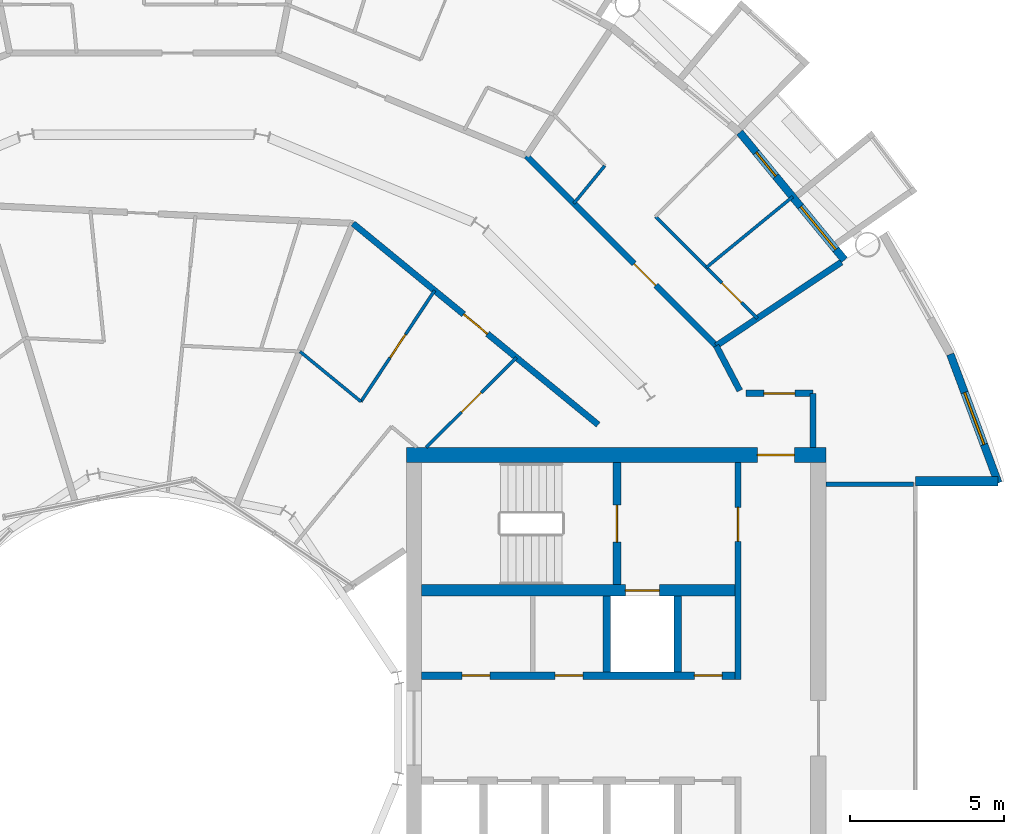
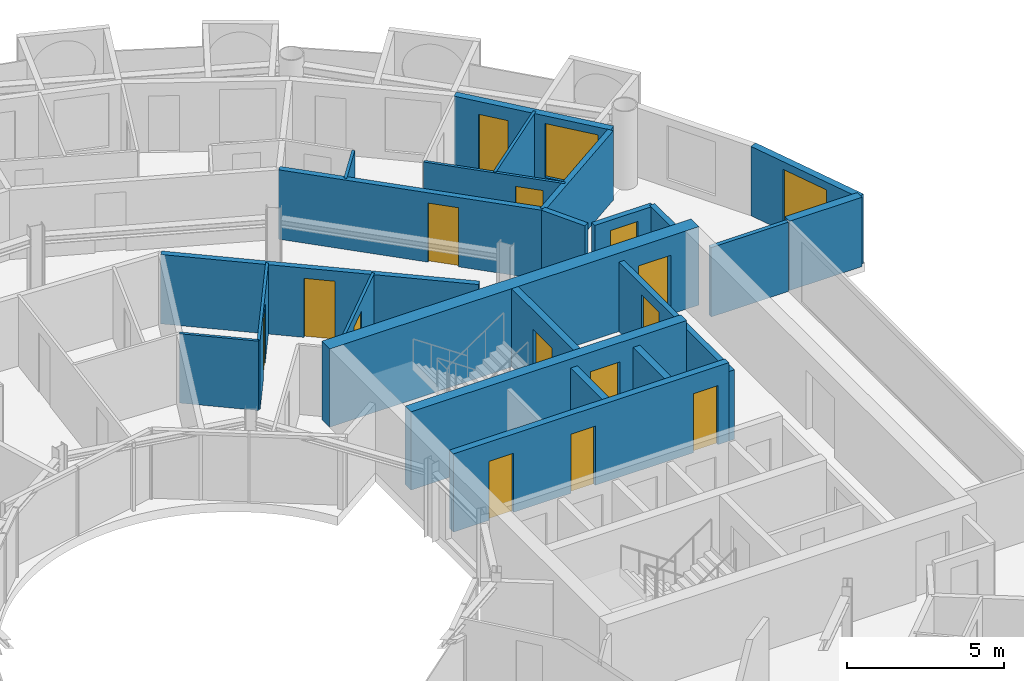
# One storey, part 22 of 27: 23 walls, 14 doors, 2 windows, 16 openings.
"""IFC4 building model written with IfcOpenShell, lengths in metres."""

from ifc_helpers import new_model, si_unit, direction, frame, frame_2d, origin, place, context, subcontext, project, spatial, rectangle, extrude, material, layer, layer_set, type_object, element, fill, save


model = new_model("IFC4")

# Units and contexts
model_context = context("Model", 3, precision=1e-05, world=origin(), true_north=direction((0.0, 1.0)))
body_context = subcontext(model_context, "Body", "Model", "MODEL_VIEW")
ifc_project = project(units=[si_unit("LENGTHUNIT", "METRE"), si_unit("AREAUNIT", "SQUARE_METRE"), si_unit("VOLUMEUNIT", "CUBIC_METRE"), si_unit("PLANEANGLEUNIT", "RADIAN"), si_unit("MASSUNIT", "GRAM", prefix="KILO")], contexts=[model_context])

# Site, building, storey
site_placement = place(None, origin())
site = spatial("IfcSite", under=ifc_project, at=site_placement, CompositionType="ELEMENT")
building_placement = place(site_placement, origin())
building = spatial("IfcBuilding", under=site, at=building_placement, Name="Maasbend Ring Residences", CompositionType="ELEMENT")
storey_placement = place(building_placement, frame((0.0, 0.0, 167.699951171875)))
storey = spatial("IfcBuildingStorey", under=building, at=storey_placement, Name="L48", CompositionType="ELEMENT", Elevation=167.699951171875)

# Wall, openings, doors
ifc_material_1 = material(Name="Concrete C60/75", Category="concrete")
ifc_layer_1 = layer(ifc_material_1, 0.25)
ifc_layer_set_1 = layer_set([ifc_layer_1], Name="Concrete C60/75")
wall_type_1 = type_object("IfcWallType", Name="CORE WALL 250 C60/75", PredefinedType="SHEAR", material=ifc_layer_set_1)
wall_1_placement = place(storey_placement, frame((9.0, 1.699951171875, 0.0), z_axis=(0.0, 0.0, 1.0), x_axis=(1.0, 0.0, 0.0)))
wall_1 = element("IfcWall", 1, at=wall_1_placement, inside=storey, type_object=wall_type_1, Name="L48 core E wall SPN", PredefinedType="SHEAR", context=body_context, shape_type="SweptSolid", body=[
    extrude(rectangle(XDim=10.14990234375, YDim=0.25, at=frame_2d((5.074951171875, 0.0))), origin(), (0.0, 0.0, 1.0), 3.050048828125),
])
opening_1_placement = place(wall_1_placement, frame((1.3125, 0.0, 0.0)))
opening_1 = element("IfcOpeningElement", 2, at=opening_1_placement, cuts=wall_1, Name="Opening D-E4806", PredefinedType="OPENING", context=body_context, shape_type="SweptSolid", body=[
    extrude(rectangle(XDim=0.89990234375, YDim=2.300048828125, at=frame_2d((0.449951171875, 1.14990234375))), frame((0.0, 0.135009765625, 0.0), z_axis=(0.0, -1.0, 0.0), x_axis=(1.0, 0.0, 0.0)), (0.0, 0.0, 1.0), 0.27001953125),
])
opening_2_placement = place(wall_1_placement, frame((4.324951171875, 0.0, 0.0)))
opening_2 = element("IfcOpeningElement", 3, at=opening_2_placement, cuts=wall_1, Name="Opening D-E4807", PredefinedType="OPENING", context=body_context, shape_type="SweptSolid", body=[
    extrude(rectangle(XDim=0.89990234375, YDim=2.300048828125, at=frame_2d((0.449951171875, 1.14990234375))), frame((0.0, 0.135009765625, 0.0), z_axis=(0.0, -1.0, 0.0), x_axis=(1.0, 0.0, 0.0)), (0.0, 0.0, 1.0), 0.27001953125),
])
opening_3_placement = place(wall_1_placement, frame((8.83740234375, 0.0, 0.0)))
opening_3 = element("IfcOpeningElement", 4, at=opening_3_placement, cuts=wall_1, Name="Opening D-E4808", PredefinedType="OPENING", context=body_context, shape_type="SweptSolid", body=[
    extrude(rectangle(XDim=0.89990234375, YDim=2.300048828125, at=frame_2d((0.449951171875, 1.14990234375))), frame((0.0, 0.135009765625, 0.0), z_axis=(0.0, -1.0, 0.0), x_axis=(1.0, 0.0, 0.0)), (0.0, 0.0, 1.0), 0.27001953125),
])
ifc_material_2 = material(Name="Steel, powder coated", Category="steel")
door_type_1 = type_object("IfcDoorType", Name="ROOM DOOR 900 X 2300 FD30S", OperationType="NOTDEFINED", PredefinedType="DOOR", material=ifc_material_2)
door_1_placement = place(opening_1_placement, origin())
door_1 = element("IfcDoor", 5, at=door_1_placement, inside=storey, type_object=door_type_1, Name="Room door L48", OperationType="SINGLE_SWING_RIGHT", OverallHeight=2.300048828125, OverallWidth=0.89990234375, PredefinedType="DOOR", context=body_context, shape_type="SweptSolid", body=[
    extrude(rectangle(XDim=0.89990234375, YDim=2.300048828125, at=frame_2d((0.449951171875, 1.14990234375))), frame((0.0, 0.02490234375, 0.0), z_axis=(0.0, -1.0, 0.0), x_axis=(1.0, 0.0, 0.0)), (0.0, 0.0, 1.0), 0.050048828125),
])
fill(opening_1, door_1)
door_2_placement = place(opening_2_placement, origin())
door_2 = element("IfcDoor", 6, at=door_2_placement, inside=storey, type_object=door_type_1, Name="Room door L48", OperationType="SINGLE_SWING_RIGHT", OverallHeight=2.300048828125, OverallWidth=0.89990234375, PredefinedType="DOOR", context=body_context, shape_type="SweptSolid", body=[
    extrude(rectangle(XDim=0.89990234375, YDim=2.300048828125, at=frame_2d((0.449951171875, 1.14990234375))), frame((0.0, 0.02490234375, 0.0), z_axis=(0.0, -1.0, 0.0), x_axis=(1.0, 0.0, 0.0)), (0.0, 0.0, 1.0), 0.050048828125),
])
fill(opening_2, door_2)
door_3_placement = place(opening_3_placement, origin())
door_3 = element("IfcDoor", 7, at=door_3_placement, inside=storey, type_object=door_type_1, Name="Room door L48", OperationType="SINGLE_SWING_LEFT", OverallHeight=2.300048828125, OverallWidth=0.89990234375, PredefinedType="DOOR", context=body_context, shape_type="SweptSolid", body=[
    extrude(rectangle(XDim=0.89990234375, YDim=2.300048828125, at=frame_2d((0.449951171875, 1.14990234375))), frame((0.0, 0.02490234375, 0.0), z_axis=(0.0, -1.0, 0.0), x_axis=(1.0, 0.0, 0.0)), (0.0, 0.0, 1.0), 0.050048828125),
])
fill(opening_3, door_3)

# Wall, opening, door
wall_2_placement = place(storey_placement, frame((15.324951171875, 4.64990234375, 0.0), z_axis=(0.0, 0.0, 1.0), x_axis=(0.0, 1.0, 0.0)))
wall_2 = element("IfcWall", 8, at=wall_2_placement, inside=storey, type_object=wall_type_1, Name="L48 core E wall STEN", PredefinedType="SHEAR", context=body_context, shape_type="SweptSolid", body=[
    extrude(rectangle(XDim=3.9501953125, YDim=0.25, at=frame_2d((1.97509765625, 0.0))), origin(), (0.0, 0.0, 1.0), 3.050048828125),
])
opening_4_placement = place(wall_2_placement, frame((1.375, 0.0, 0.0)))
opening_4 = element("IfcOpeningElement", 9, at=opening_4_placement, cuts=wall_2, Name="Opening D-E4811", PredefinedType="OPENING", context=body_context, shape_type="SweptSolid", body=[
    extrude(rectangle(XDim=1.199951171875, YDim=2.300048828125, at=frame_2d((0.60009765625, 1.14990234375))), frame((0.0, 0.135009765625, 0.0), z_axis=(0.0, -1.0, 0.0), x_axis=(1.0, 0.0, 0.0)), (0.0, 0.0, 1.0), 0.27001953125),
])
ifc_material_3 = material(Name="Steel, powder coated", Category="steel")
door_type_2 = type_object("IfcDoorType", Name="STAIR DOOR 1200 X 2300 FD60", OperationType="NOTDEFINED", PredefinedType="DOOR", material=ifc_material_3)
door_4_placement = place(opening_4_placement, origin())
door_4 = element("IfcDoor", 10, at=door_4_placement, inside=storey, type_object=door_type_2, Name="Stair door ST-E L48", OperationType="SINGLE_SWING_LEFT", OverallHeight=2.300048828125, OverallWidth=1.199951171875, PredefinedType="DOOR", context=body_context, shape_type="SweptSolid", body=[
    extrude(rectangle(XDim=1.199951171875, YDim=2.300048828125, at=frame_2d((0.60009765625, 1.14990234375))), frame((0.0, 0.02490234375, 0.0), z_axis=(0.0, -1.0, 0.0), x_axis=(1.0, 0.0, 0.0)), (0.0, 0.0, 1.0), 0.050048828125),
])
fill(opening_4, door_4)

ifc_material_4 = material(Name="Concrete C60/75", Category="concrete")
ifc_layer_2 = layer(ifc_material_4, 0.375)
ifc_layer_set_2 = layer_set([ifc_layer_2], Name="Concrete C60/75")
wall_type_2 = type_object("IfcWallType", Name="CORE WALL 375 C60/75", PredefinedType="SHEAR", material=ifc_layer_set_2)
wall_3_placement = place(storey_placement, frame((9.0, 4.46240234375, 0.0), z_axis=(0.0, 0.0, 1.0), x_axis=(1.0, 0.0, 0.0)))
wall_3 = element("IfcWall", 11, at=wall_3_placement, inside=storey, type_object=wall_type_2, Name="L48 core E wall BN", PredefinedType="SHEAR", context=body_context, shape_type="SweptSolid", body=[
    extrude(rectangle(XDim=10.14990234375, YDim=0.375, at=frame_2d((5.074951171875, 0.0))), origin(), (0.0, 0.0, 1.0), 3.050048828125),
])
opening_5_placement = place(wall_3_placement, frame((6.60009765625, 0.0, 0.0)))
opening_5 = element("IfcOpeningElement", 12, at=opening_5_placement, cuts=wall_3, Name="Opening LD-E4801", PredefinedType="OPENING", context=body_context, shape_type="SweptSolid", body=[
    extrude(rectangle(XDim=1.10009765625, YDim=2.300048828125, at=frame_2d((0.550048828125, 1.14990234375))), frame((0.0, 0.197509765625, 0.0), z_axis=(0.0, -1.0, 0.0), x_axis=(1.0, 0.0, 0.0)), (0.0, 0.0, 1.0), 0.39501953125),
])
ifc_material_5 = material(Name="Stainless steel 316", Category="steel")
door_type_3 = type_object("IfcDoorType", Name="LANDING DOOR 1100 X 2300 FD60", OperationType="DOUBLE_DOOR_SLIDING", PredefinedType="DOOR", material=ifc_material_5)
door_5_placement = place(opening_5_placement, origin())
door_5 = element("IfcDoor", 13, at=door_5_placement, inside=storey, type_object=door_type_3, Name="Landing door FF-E L48", OperationType="DOUBLE_DOOR_SLIDING", OverallHeight=2.300048828125, OverallWidth=1.10009765625, PredefinedType="DOOR", context=body_context, shape_type="SweptSolid", body=[
    extrude(rectangle(XDim=1.10009765625, YDim=2.300048828125, at=frame_2d((0.550048828125, 1.14990234375))), frame((0.0, 0.02490234375, 0.0), z_axis=(0.0, -1.0, 0.0), x_axis=(1.0, 0.0, 0.0)), (0.0, 0.0, 1.0), 0.050048828125),
])
fill(opening_5, door_5)

ifc_material_6 = material(Name="Concrete C60/75", Category="concrete")
ifc_layer_3 = layer(ifc_material_6, 0.5)
ifc_layer_set_3 = layer_set([ifc_layer_3], Name="Concrete C60/75")
wall_type_3 = type_object("IfcWallType", Name="CORE WALL 500 C60/75", PredefinedType="SHEAR", material=ifc_layer_set_3)
wall_4_placement = place(storey_placement, frame((22.10009765625, 8.85009765625, 0.0), z_axis=(0.0, 0.0, 1.0), x_axis=(-1.0, 0.0, 0.0)))
wall_4 = element("IfcWall", 14, at=wall_4_placement, inside=storey, type_object=wall_type_3, Name="L48 core E wall PN", PredefinedType="SHEAR", context=body_context, shape_type="SweptSolid", body=[
    extrude(rectangle(XDim=13.60009765625, YDim=0.5, at=frame_2d((6.800048828125, 0.0))), origin(), (0.0, 0.0, 1.0), 3.050048828125),
])
opening_6_placement = place(wall_4_placement, frame((1.02490234375, 0.0, 0.0)))
opening_6 = element("IfcOpeningElement", 15, at=opening_6_placement, cuts=wall_4, Name="Opening D-E4815", PredefinedType="OPENING", context=body_context, shape_type="SweptSolid", body=[
    extrude(rectangle(XDim=1.199951171875, YDim=2.300048828125, at=frame_2d((0.60009765625, 1.14990234375))), frame((0.0, 0.260009765625, 0.0), z_axis=(0.0, -1.0, 0.0), x_axis=(1.0, 0.0, 0.0)), (0.0, 0.0, 1.0), 0.52001953125),
])
ifc_material_7 = material(Name="Steel, powder coated", Category="steel")
door_type_4 = type_object("IfcDoorType", Name="CORRIDOR DOOR 1200 X 2300 FD30S", OperationType="NOTDEFINED", PredefinedType="DOOR", material=ifc_material_7)
door_6_placement = place(opening_6_placement, origin())
door_6 = element("IfcDoor", 16, at=door_6_placement, inside=storey, type_object=door_type_4, Name="Corridor door L48", OperationType="SINGLE_SWING_RIGHT", OverallHeight=2.300048828125, OverallWidth=1.199951171875, PredefinedType="DOOR", context=body_context, shape_type="SweptSolid", body=[
    extrude(rectangle(XDim=1.199951171875, YDim=2.300048828125, at=frame_2d((0.60009765625, 1.14990234375))), frame((0.0, 0.02490234375, 0.0), z_axis=(0.0, -1.0, 0.0), x_axis=(1.0, 0.0, 0.0)), (0.0, 0.0, 1.0), 0.050048828125),
])
fill(opening_6, door_6)

# Wall
ifc_material_8 = material(Name="Concrete C30/37", Category="concrete")
ifc_layer_4 = layer(ifc_material_8, 0.199951171875)
ifc_layer_set_4 = layer_set([ifc_layer_4], Name="Concrete C30/37")
wall_type_4 = type_object("IfcWallType", Name="CORRIDOR WALL 200 CONCRETE", PredefinedType="PARTITIONING", material=ifc_layer_set_4)
wall_5_placement = place(storey_placement, frame((21.675048828125, 9.10009765625, 0.0), z_axis=(0.0, 0.0, 1.0), x_axis=(0.0, 1.0, 0.0)))
element("IfcWall", 17, at=wall_5_placement, inside=storey, type_object=wall_type_4, Name="U-L48-w019", PredefinedType="PARTITIONING", context=body_context, shape_type="SweptSolid", body=[
    extrude(rectangle(XDim=1.75, YDim=0.199951171875, at=frame_2d((0.875, 0.0))), origin(), (0.0, 0.0, 1.0), 2.699951171875),
])

# Wall, opening, door
wall_6_placement = place(storey_placement, frame((19.50390625, 10.85009765625, 0.0), z_axis=(0.0, 0.0, 1.0), x_axis=(1.0, 0.0, 0.0)))
wall_6 = element("IfcWall", 18, at=wall_6_placement, inside=storey, type_object=wall_type_4, Name="U-L48-w097", PredefinedType="PARTITIONING", context=body_context, shape_type="SweptSolid", body=[
    extrude(rectangle(XDim=2.171142578125, YDim=0.199951171875, at=frame_2d((1.08544921875, 0.0))), origin(), (0.0, 0.0, 1.0), 2.699951171875),
])
opening_7_placement = place(wall_6_placement, frame((0.5849609375, 0.0, 0.0)))
opening_7 = element("IfcOpeningElement", 19, at=opening_7_placement, cuts=wall_6, Name="Opening D-4868", PredefinedType="OPENING", context=body_context, shape_type="SweptSolid", body=[
    extrude(rectangle(XDim=1.0, YDim=2.300048828125, at=frame_2d((0.5, 1.14990234375))), frame((0.0, 0.10986328125, 0.0), z_axis=(0.0, -1.0, 0.0), x_axis=(1.0, 0.0, 0.0)), (0.0, 0.0, 1.0), 0.219970703125),
])
ifc_material_9 = material(Name="Timber, painted", Category="wood")
door_type_5 = type_object("IfcDoorType", Name="ROOM DOOR 1000 X 2300", OperationType="NOTDEFINED", PredefinedType="DOOR", material=ifc_material_9)
door_7_placement = place(opening_7_placement, origin())
door_7 = element("IfcDoor", 20, at=door_7_placement, inside=storey, type_object=door_type_5, Name="D-4868", OperationType="SINGLE_SWING_LEFT", OverallHeight=2.300048828125, OverallWidth=1.0, PredefinedType="DOOR", context=body_context, shape_type="SweptSolid", body=[
    extrude(rectangle(XDim=1.0, YDim=2.300048828125, at=frame_2d((0.5, 1.14990234375))), frame((0.0, 0.02490234375, 0.0), z_axis=(0.0, -1.0, 0.0), x_axis=(1.0, 0.0, 0.0)), (0.0, 0.0, 1.0), 0.050048828125),
])
fill(opening_7, door_7)

wall_7_placement = place(storey_placement, frame((6.77294921875, 16.35302734375, 0.0), z_axis=(0.0, 0.0, 1.0), x_axis=(0.773034536097, -0.634363938131, 0.0)))
wall_7 = element("IfcWall", 21, at=wall_7_placement, inside=storey, type_object=wall_type_4, Name="U-L48-w106", PredefinedType="PARTITIONING", context=body_context, shape_type="SweptSolid", body=[
    extrude(rectangle(XDim=10.276611328125, YDim=0.199951171875, at=frame_2d((5.13818359375, 0.0))), origin(), (0.0, 0.0, 1.0), 2.699951171875),
])
opening_8_placement = place(wall_7_placement, frame((4.637939453125, 0.0, 0.0)))
opening_8 = element("IfcOpeningElement", 22, at=opening_8_placement, cuts=wall_7, Name="Opening D-4821", PredefinedType="OPENING", context=body_context, shape_type="SweptSolid", body=[
    extrude(rectangle(XDim=1.0, YDim=2.300048828125, at=frame_2d((0.5, 1.14990234375))), frame((0.0, 0.10986328125, 0.0), z_axis=(0.0, -1.0, 0.0), x_axis=(1.0, 0.0, 0.0)), (0.0, 0.0, 1.0), 0.219970703125),
])
ifc_material_10 = material(Name="Timber, fire-rated, painted", Category="wood")
door_type_6 = type_object("IfcDoorType", Name="FLAT ENTRANCE DOOR 1000 X 2300 FIRE-RATED", OperationType="NOTDEFINED", PredefinedType="DOOR", material=ifc_material_10)
door_8_placement = place(opening_8_placement, origin())
door_8 = element("IfcDoor", 23, at=door_8_placement, inside=storey, type_object=door_type_6, Name="D-4821", OperationType="SINGLE_SWING_RIGHT", OverallHeight=2.300048828125, OverallWidth=1.0, PredefinedType="DOOR", context=body_context, shape_type="SweptSolid", body=[
    extrude(rectangle(XDim=1.0, YDim=2.300048828125, at=frame_2d((0.5, 1.14990234375))), frame((0.0, 0.02490234375, 0.0), z_axis=(0.0, -1.0, 0.0), x_axis=(1.0, 0.0, 0.0)), (0.0, 0.0, 1.0), 0.050048828125),
])
fill(opening_8, door_8)

wall_8_placement = place(storey_placement, frame((12.388916015625, 18.5419921875, 0.0), z_axis=(0.0, 0.0, 1.0), x_axis=(0.707106781187, -0.707106781187, 0.0)))
wall_8 = element("IfcWall", 24, at=wall_8_placement, inside=storey, type_object=wall_type_4, Name="U-L48-w113", PredefinedType="PARTITIONING", context=body_context, shape_type="SweptSolid", body=[
    extrude(rectangle(XDim=8.70166015625, YDim=0.199951171875, at=frame_2d((4.350830078125, 0.0))), origin(), (0.0, 0.0, 1.0), 2.699951171875),
])
opening_9_placement = place(wall_8_placement, frame((4.93798828125, 0.0, 0.0)))
opening_9 = element("IfcOpeningElement", 25, at=opening_9_placement, cuts=wall_8, Name="Opening D-4801", PredefinedType="OPENING", context=body_context, shape_type="SweptSolid", body=[
    extrude(rectangle(XDim=1.0, YDim=2.300048828125, at=frame_2d((0.5, 1.14990234375))), frame((0.0, 0.10986328125, 0.0), z_axis=(0.0, -1.0, 0.0), x_axis=(1.0, 0.0, 0.0)), (0.0, 0.0, 1.0), 0.219970703125),
])
door_9_placement = place(opening_9_placement, origin())
door_9 = element("IfcDoor", 26, at=door_9_placement, inside=storey, type_object=door_type_6, Name="D-4801", OperationType="SINGLE_SWING_RIGHT", OverallHeight=2.300048828125, OverallWidth=1.0, PredefinedType="DOOR", context=body_context, shape_type="SweptSolid", body=[
    extrude(rectangle(XDim=1.0, YDim=2.300048828125, at=frame_2d((0.5, 1.14990234375))), frame((0.0, 0.02490234375, 0.0), z_axis=(0.0, -1.0, 0.0), x_axis=(1.0, 0.0, 0.0)), (0.0, 0.0, 1.0), 0.050048828125),
])
fill(opening_9, door_9)

# Wall
wall_9_placement = place(storey_placement, frame((18.5419921875, 12.388916015625, 0.0), z_axis=(0.0, 0.0, 1.0), x_axis=(0.465605550524, -0.884992356646, 0.0)))
element("IfcWall", 27, at=wall_9_placement, inside=storey, type_object=wall_type_4, Name="U-L48-w115", PredefinedType="PARTITIONING", context=body_context, shape_type="SweptSolid", body=[
    extrude(rectangle(XDim=1.642822265625, YDim=0.199951171875, at=frame_2d((0.8212890625, 0.0))), origin(), (0.0, 0.0, 1.0), 2.699951171875),
])

# Wall, openings, door, window
ifc_material_11 = material(Name="Aluminium clad insulated panel", Category="aluminium")
ifc_layer_5 = layer(ifc_material_11, 0.25)
ifc_layer_set_5 = layer_set([ifc_layer_5], Name="EW-GL")
wall_type_5 = type_object("IfcWallType", Name="EW-GL", PredefinedType="SOLIDWALL", material=ifc_layer_set_5)
wall_10_placement = place(storey_placement, frame((22.698974609375, 15.1669921875, 0.0), z_axis=(0.0, 0.0, 1.0), x_axis=(-0.634382322723, 0.773019449054, 0.0)))
wall_10 = element("IfcWall", 28, at=wall_10_placement, inside=storey, type_object=wall_type_5, Name="External wall N01", PredefinedType="SOLIDWALL", context=body_context, shape_type="SweptSolid", body=[
    extrude(rectangle(XDim=5.351806640625, YDim=0.25, at=frame_2d((2.67578125, 0.0))), origin(), (0.0, 0.0, 1.0), 2.699951171875),
])
opening_10_placement = place(wall_10_placement, frame((0.441162109375, 0.0, 0.300048828125)))
opening_10 = element("IfcOpeningElement", 29, at=opening_10_placement, cuts=wall_10, Name="Opening W-BX", PredefinedType="OPENING", context=body_context, shape_type="SweptSolid", body=[
    extrude(rectangle(XDim=1.800048828125, YDim=2.10009765625, at=frame_2d((0.89990234375, 1.050048828125))), frame((0.0, 0.135009765625, 0.0), z_axis=(0.0, -1.0, 0.0), x_axis=(1.0, 0.0, 0.0)), (0.0, 0.0, 1.0), 0.27001953125),
])
opening_11_placement = place(wall_10_placement, frame((3.510498046875, 0.0, 0.0)))
opening_11 = element("IfcOpeningElement", 30, at=opening_11_placement, cuts=wall_10, Name="Opening D-LG", PredefinedType="OPENING", context=body_context, shape_type="SweptSolid", body=[
    extrude(rectangle(XDim=1.0, YDim=2.199951171875, at=frame_2d((0.5, 1.10009765625))), frame((0.0, 0.135009765625, 0.0), z_axis=(0.0, -1.0, 0.0), x_axis=(1.0, 0.0, 0.0)), (0.0, 0.0, 1.0), 0.27001953125),
])
ifc_material_12 = material(Name="Aluminium and clear glass", Category="aluminium")
door_type_7 = type_object("IfcDoorType", Name="D-LG", OperationType="SINGLE_SWING_LEFT", PredefinedType="DOOR", material=ifc_material_12)
door_10_placement = place(opening_11_placement, origin())
door_10 = element("IfcDoor", 31, at=door_10_placement, inside=storey, type_object=door_type_7, Name="Loggia door N02", OperationType="SINGLE_SWING_LEFT", OverallHeight=2.199951171875, OverallWidth=1.0, PredefinedType="DOOR", context=body_context, shape_type="SweptSolid", body=[
    extrude(rectangle(XDim=1.0, YDim=2.199951171875, at=frame_2d((0.5, 1.10009765625))), frame((0.0, 0.02490234375, 0.0), z_axis=(0.0, -1.0, 0.0), x_axis=(1.0, 0.0, 0.0)), (0.0, 0.0, 1.0), 0.050048828125),
])
fill(opening_11, door_10)
ifc_material_13 = material(Name="Aluminium and clear glass", Category="aluminium")
window_type = type_object("IfcWindowType", Name="W-BX", PartitioningType="DOUBLE_PANEL_VERTICAL", PredefinedType="WINDOW", material=ifc_material_13)
window_1_placement = place(opening_10_placement, origin())
window_1 = element("IfcWindow", 32, at=window_1_placement, inside=storey, type_object=window_type, Name="Window N01 room to box", OverallHeight=2.10009765625, OverallWidth=1.800048828125, PartitioningType="SINGLE_PANEL", PredefinedType="WINDOW", context=body_context, shape_type="SweptSolid", body=[
    extrude(rectangle(XDim=1.800048828125, YDim=2.10009765625, at=frame_2d((0.89990234375, 1.050048828125))), frame((0.0, 0.030029296875, 0.0), z_axis=(0.0, -1.0, 0.0), x_axis=(1.0, 0.0, 0.0)), (0.0, 0.0, 1.0), 0.06005859375),
])
fill(opening_10, window_1)

# Wall, opening, window
ifc_material_14 = material(Name="Aluminium clad insulated panel", Category="aluminium")
ifc_layer_6 = layer(ifc_material_14, 0.25)
ifc_layer_set_6 = layer_set([ifc_layer_6], Name="EW-HORN")
wall_type_6 = type_object("IfcWallType", Name="EW-HORN", PredefinedType="SOLIDWALL", material=ifc_layer_set_6)
wall_11_placement = place(storey_placement, frame((27.681884765625, 7.945068359375, 0.0), z_axis=(0.0, 0.0, 1.0), x_axis=(-0.349247811493, 0.937030397675, 0.0)))
wall_11 = element("IfcWall", 33, at=wall_11_placement, inside=storey, type_object=wall_type_6, Name="Horn wall 1.1", PredefinedType="SOLIDWALL", context=body_context, shape_type="SweptSolid", body=[
    extrude(rectangle(XDim=4.4521484375, YDim=0.25, at=frame_2d((2.22607421875, 0.0))), origin(), (0.0, 0.0, 1.0), 2.699951171875),
])
opening_12_placement = place(wall_11_placement, frame((1.32666015625, 0.0, 0.300048828125)))
opening_12 = element("IfcOpeningElement", 34, at=opening_12_placement, cuts=wall_11, Name="Opening W-BX", PredefinedType="OPENING", context=body_context, shape_type="SweptSolid", body=[
    extrude(rectangle(XDim=1.800048828125, YDim=2.10009765625, at=frame_2d((0.89990234375, 1.050048828125))), frame((0.0, 0.135009765625, 0.0), z_axis=(0.0, -1.0, 0.0), x_axis=(1.0, 0.0, 0.0)), (0.0, 0.0, 1.0), 0.27001953125),
])
window_2_placement = place(opening_12_placement, origin())
window_2 = element("IfcWindow", 35, at=window_2_placement, inside=storey, type_object=window_type, Name="Horn window 1.1", OverallHeight=2.10009765625, OverallWidth=1.800048828125, PartitioningType="SINGLE_PANEL", PredefinedType="WINDOW", context=body_context, shape_type="SweptSolid", body=[
    extrude(rectangle(XDim=1.800048828125, YDim=2.10009765625, at=frame_2d((0.89990234375, 1.050048828125))), frame((0.0, 0.030029296875, 0.0), z_axis=(0.0, -1.0, 0.0), x_axis=(1.0, 0.0, 0.0)), (0.0, 0.0, 1.0), 0.06005859375),
])
fill(opening_12, window_2)

# Wall
ifc_material_15 = material(Name="Aluminium clad insulated panel", Category="aluminium")
ifc_layer_7 = layer(ifc_material_15, 0.300048828125)
ifc_layer_set_7 = layer_set([ifc_layer_7], Name="EW-RET")
wall_type_7 = type_object("IfcWallType", Name="EW-RET", PredefinedType="SOLIDWALL", material=ifc_layer_set_7)
wall_12_placement = place(storey_placement, frame((25.0, 8.0, 0.0), z_axis=(0.0, 0.0, 1.0), x_axis=(1.0, 0.0, 0.0)))
element("IfcWall", 36, at=wall_12_placement, inside=storey, type_object=wall_type_7, Name="Notch return wall east north", PredefinedType="SOLIDWALL", context=body_context, shape_type="SweptSolid", body=[
    extrude(rectangle(XDim=2.6669921875, YDim=0.300048828125, at=frame_2d((1.33349609375, 0.0))), origin(), (0.0, 0.0, 1.0), 2.699951171875),
])

# Wall, opening, door
ifc_material_16 = material(Name="Gypsum board on steel studs", Category="steel")
ifc_layer_8 = layer(ifc_material_16, 0.10009765625)
ifc_layer_set_8 = layer_set([ifc_layer_8], Name="PARTITION 100 GYPSUM")
wall_type_8 = type_object("IfcWallType", Name="PARTITION 100 GYPSUM", PredefinedType="PARTITIONING", material=ifc_layer_set_8)
wall_13_placement = place(storey_placement, frame((7.031005859375, 10.58203125, 0.0), z_axis=(0.0, 0.0, 1.0), x_axis=(0.553303732327, 0.832979579457, 0.0)))
wall_13 = element("IfcWall", 37, at=wall_13_placement, inside=storey, type_object=wall_type_8, Name="U-L48-w079", PredefinedType="PARTITIONING", context=body_context, shape_type="SweptSolid", body=[
    extrude(rectangle(XDim=4.3193359375, YDim=0.10009765625, at=frame_2d((2.15966796875, 0.0))), origin(), (0.0, 0.0, 1.0), 2.699951171875),
])
opening_13_placement = place(wall_13_placement, frame((1.7099609375, 0.0, 0.0)))
opening_13 = element("IfcOpeningElement", 38, at=opening_13_placement, cuts=wall_13, Name="Opening D-4822", PredefinedType="OPENING", context=body_context, shape_type="SweptSolid", body=[
    extrude(rectangle(XDim=0.89990234375, YDim=2.300048828125, at=frame_2d((0.449951171875, 1.14990234375))), frame((0.0, 0.06005859375, 0.0), z_axis=(0.0, -1.0, 0.0), x_axis=(1.0, 0.0, 0.0)), (0.0, 0.0, 1.0), 0.1201171875),
])
ifc_material_17 = material(Name="Timber, painted", Category="wood")
door_type_8 = type_object("IfcDoorType", Name="INTERNAL DOOR 900 X 2300", OperationType="NOTDEFINED", PredefinedType="DOOR", material=ifc_material_17)
door_11_placement = place(opening_13_placement, origin())
door_11 = element("IfcDoor", 39, at=door_11_placement, inside=storey, type_object=door_type_8, Name="D-4822", OperationType="SINGLE_SWING_LEFT", OverallHeight=2.300048828125, OverallWidth=0.89990234375, PredefinedType="DOOR", context=body_context, shape_type="SweptSolid", body=[
    extrude(rectangle(XDim=0.89990234375, YDim=2.300048828125, at=frame_2d((0.449951171875, 1.14990234375))), frame((0.0, 0.02490234375, 0.0), z_axis=(0.0, -1.0, 0.0), x_axis=(1.0, 0.0, 0.0)), (0.0, 0.0, 1.0), 0.050048828125),
])
fill(opening_13, door_11)

wall_14_placement = place(storey_placement, frame((9.14794921875, 9.10009765625, 0.0), z_axis=(0.0, 0.0, 1.0), x_axis=(0.708822693149, 0.705386695138, 0.0)))
wall_14 = element("IfcWall", 40, at=wall_14_placement, inside=storey, type_object=wall_type_8, Name="U-L48-w082", PredefinedType="PARTITIONING", context=body_context, shape_type="SweptSolid", body=[
    extrude(rectangle(XDim=4.12109375, YDim=0.10009765625, at=frame_2d((2.060546875, 0.0))), origin(), (0.0, 0.0, 1.0), 2.699951171875),
])
opening_14_placement = place(wall_14_placement, frame((1.611083984375, 0.0, 0.0)))
opening_14 = element("IfcOpeningElement", 41, at=opening_14_placement, cuts=wall_14, Name="Opening D-4823", PredefinedType="OPENING", context=body_context, shape_type="SweptSolid", body=[
    extrude(rectangle(XDim=0.89990234375, YDim=2.300048828125, at=frame_2d((0.449951171875, 1.14990234375))), frame((0.0, 0.06005859375, 0.0), z_axis=(0.0, -1.0, 0.0), x_axis=(1.0, 0.0, 0.0)), (0.0, 0.0, 1.0), 0.1201171875),
])
door_12_placement = place(opening_14_placement, origin())
door_12 = element("IfcDoor", 42, at=door_12_placement, inside=storey, type_object=door_type_8, Name="D-4823", OperationType="SINGLE_SWING_LEFT", OverallHeight=2.300048828125, OverallWidth=0.89990234375, PredefinedType="DOOR", context=body_context, shape_type="SweptSolid", body=[
    extrude(rectangle(XDim=0.89990234375, YDim=2.300048828125, at=frame_2d((0.449951171875, 1.14990234375))), frame((0.0, 0.02490234375, 0.0), z_axis=(0.0, -1.0, 0.0), x_axis=(1.0, 0.0, 0.0)), (0.0, 0.0, 1.0), 0.050048828125),
])
fill(opening_14, door_12)

# Walls
wall_15_placement = place(storey_placement, frame((13.929931640625, 17.0009765625, 0.0), z_axis=(0.0, 0.0, 1.0), x_axis=(0.633633636523, 0.773633255921, 0.0)))
element("IfcWall", 43, at=wall_15_placement, inside=storey, type_object=wall_type_8, Name="U-L48-w086", PredefinedType="PARTITIONING", context=body_context, shape_type="SweptSolid", body=[
    extrude(rectangle(XDim=1.578125, YDim=0.10009765625, at=frame_2d((0.7890625, 0.0))), origin(), (0.0, 0.0, 1.0), 2.699951171875),
])
wall_16_placement = place(storey_placement, frame((18.22412109375, 14.927001953125, 0.0), z_axis=(0.0, 0.0, 1.0), x_axis=(0.773548271597, 0.633737383709, 0.0)))
element("IfcWall", 44, at=wall_16_placement, inside=storey, type_object=wall_type_8, Name="U-L48-w091", PredefinedType="PARTITIONING", context=body_context, shape_type="SweptSolid", body=[
    extrude(rectangle(XDim=3.6181640625, YDim=0.10009765625, at=frame_2d((1.80908203125, 0.0))), origin(), (0.0, 0.0, 1.0), 2.699951171875),
])
wall_17_placement = place(storey_placement, frame((5.05810546875, 12.202880859375, 0.0), z_axis=(0.0, 0.0, 1.0), x_axis=(0.772764723682, -0.634692588449, 0.0)))
element("IfcWall", 45, at=wall_17_placement, inside=storey, type_object=wall_type_8, Name="U-L48-w102", PredefinedType="PARTITIONING", context=body_context, shape_type="SweptSolid", body=[
    extrude(rectangle(XDim=2.556884765625, YDim=0.10009765625, at=frame_2d((1.2783203125, 0.0))), origin(), (0.0, 0.0, 1.0), 2.699951171875),
])

# Wall, opening, door
wall_18_placement = place(storey_placement, frame((16.574951171875, 16.574951171875, 0.0), z_axis=(0.0, 0.0, 1.0), x_axis=(0.707132961115, -0.707080600289, 0.0)))
wall_18 = element("IfcWall", 46, at=wall_18_placement, inside=storey, type_object=wall_type_8, Name="U-L48-w125", PredefinedType="PARTITIONING", context=body_context, shape_type="SweptSolid", body=[
    extrude(rectangle(XDim=4.66259765625, YDim=0.10009765625, at=frame_2d((2.331298828125, 0.0))), origin(), (0.0, 0.0, 1.0), 2.699951171875),
])
opening_15_placement = place(wall_18_placement, frame((3.04296875, 0.0, 0.0)))
opening_15 = element("IfcOpeningElement", 47, at=opening_15_placement, cuts=wall_18, Name="Opening D-4804", PredefinedType="OPENING", context=body_context, shape_type="SweptSolid", body=[
    extrude(rectangle(XDim=0.89990234375, YDim=2.300048828125, at=frame_2d((0.449951171875, 1.14990234375))), frame((0.0, 0.06005859375, 0.0), z_axis=(0.0, -1.0, 0.0), x_axis=(1.0, 0.0, 0.0)), (0.0, 0.0, 1.0), 0.1201171875),
])
door_13_placement = place(opening_15_placement, origin())
door_13 = element("IfcDoor", 48, at=door_13_placement, inside=storey, type_object=door_type_8, Name="D-4804", OperationType="SINGLE_SWING_RIGHT", OverallHeight=2.300048828125, OverallWidth=0.89990234375, PredefinedType="DOOR", context=body_context, shape_type="SweptSolid", body=[
    extrude(rectangle(XDim=0.89990234375, YDim=2.300048828125, at=frame_2d((0.449951171875, 1.14990234375))), frame((0.0, 0.02490234375, 0.0), z_axis=(0.0, -1.0, 0.0), x_axis=(1.0, 0.0, 0.0)), (0.0, 0.0, 1.0), 0.050048828125),
])
fill(opening_15, door_13)

# Walls
ifc_material_18 = material(Name="Gypsum board on steel studs", Category="steel")
ifc_layer_9 = layer(ifc_material_18, 0.14990234375)
ifc_layer_set_9 = layer_set([ifc_layer_9], Name="PARTITION 150 EI 60")
wall_type_9 = type_object("IfcWallType", Name="PARTITION 150 EI 60", PredefinedType="PARTITIONING", material=ifc_layer_set_9)
wall_19_placement = place(storey_placement, frame((22.10009765625, 7.89990234375, 0.0), z_axis=(0.0, 0.0, 1.0), x_axis=(1.0, 0.0, 0.0)))
element("IfcWall", 49, at=wall_19_placement, inside=storey, type_object=wall_type_9, Name="L48 core E wall CITN", PredefinedType="PARTITIONING", context=body_context, shape_type="SweptSolid", body=[
    extrude(rectangle(XDim=2.83984375, YDim=0.14990234375, at=frame_2d((1.419921875, 0.0))), origin(), (0.0, 0.0, 1.0), 2.699951171875),
])
ifc_material_19 = material(Name="Concrete C30/37", Category="concrete")
ifc_layer_10 = layer(ifc_material_19, 0.199951171875)
ifc_layer_set_10 = layer_set([ifc_layer_10], Name="Concrete C30/37")
wall_type_10 = type_object("IfcWallType", Name="PARTY WALL 200 CONCRETE", PredefinedType="PARTITIONING", material=ifc_layer_set_10)
wall_20_placement = place(storey_placement, frame((18.5419921875, 12.388916015625, 0.0), z_axis=(0.0, 0.0, 1.0), x_axis=(0.831387096605, 0.55569370664, 0.0)))
element("IfcWall", 50, at=wall_20_placement, inside=storey, type_object=wall_type_10, Name="U-L48-w093", PredefinedType="PARTITIONING", context=body_context, shape_type="SweptSolid", body=[
    extrude(rectangle(XDim=4.875, YDim=0.199951171875, at=frame_2d((2.4375, 0.0))), origin(), (0.0, 0.0, 1.0), 2.699951171875),
])

# Wall, opening, door
ifc_material_20 = material(Name="Concrete C30/37", Category="concrete")
ifc_layer_11 = layer(ifc_material_20, 0.199951171875)
ifc_layer_set_11 = layer_set([ifc_layer_11], Name="Concrete C30/37")
wall_type_11 = type_object("IfcWallType", Name="SHAFT WALL 200 EI 120", PredefinedType="SOLIDWALL", material=ifc_layer_set_11)
wall_21_placement = place(storey_placement, frame((19.25, 1.574951171875, 0.0), z_axis=(0.0, 0.0, 1.0), x_axis=(0.0, 1.0, 0.0)))
wall_21 = element("IfcWall", 51, at=wall_21_placement, inside=storey, type_object=wall_type_11, Name="L48 core E wall ENDN", PredefinedType="SOLIDWALL", context=body_context, shape_type="SweptSolid", body=[
    extrude(rectangle(XDim=7.025146484375, YDim=0.199951171875, at=frame_2d((3.5126953125, 0.0))), origin(), (0.0, 0.0, 1.0), 2.699951171875),
])
opening_16_placement = place(wall_21_placement, frame((4.47509765625, 0.0, 0.0)))
opening_16 = element("IfcOpeningElement", 52, at=opening_16_placement, cuts=wall_21, Name="Opening D-E4813", PredefinedType="OPENING", context=body_context, shape_type="SweptSolid", body=[
    extrude(rectangle(XDim=1.10009765625, YDim=2.300048828125, at=frame_2d((0.550048828125, 1.14990234375))), frame((0.0, 0.10986328125, 0.0), z_axis=(0.0, -1.0, 0.0), x_axis=(1.0, 0.0, 0.0)), (0.0, 0.0, 1.0), 0.219970703125),
])
ifc_material_21 = material(Name="Steel, powder coated", Category="steel")
door_type_9 = type_object("IfcDoorType", Name="LOBBY DOOR 1100 X 2300 FD60", OperationType="NOTDEFINED", PredefinedType="DOOR", material=ifc_material_21)
door_14_placement = place(opening_16_placement, origin())
door_14 = element("IfcDoor", 53, at=door_14_placement, inside=storey, type_object=door_type_9, Name="Lobby door L48", OperationType="SINGLE_SWING_LEFT", OverallHeight=2.300048828125, OverallWidth=1.10009765625, PredefinedType="DOOR", context=body_context, shape_type="SweptSolid", body=[
    extrude(rectangle(XDim=1.10009765625, YDim=2.300048828125, at=frame_2d((0.550048828125, 1.14990234375))), frame((0.0, 0.02490234375, 0.0), z_axis=(0.0, -1.0, 0.0), x_axis=(1.0, 0.0, 0.0)), (0.0, 0.0, 1.0), 0.050048828125),
])
fill(opening_16, door_14)

# Walls
ifc_material_22 = material(Name="Concrete C30/37", Category="concrete")
ifc_layer_12 = layer(ifc_material_22, 0.25)
ifc_layer_set_12 = layer_set([ifc_layer_12], Name="Concrete C30/37")
wall_type_12 = type_object("IfcWallType", Name="SHAFT WALL 250 EI 120", PredefinedType="SOLIDWALL", material=ifc_layer_set_12)
for number, where, z_axis, x_axis, name in (
    (54, (15.0, 1.824951171875, 0.0), (0.0, 0.0, 1.0), (0.0, 1.0, 0.0), "L48 core E wall D150N"),
    (55, (17.300048828125, 1.824951171875, 0.0), (0.0, 0.0, 1.0), (0.0, 1.0, 0.0), "L48 core E wall D173N"),
):
    element("IfcWall", number, at=place(storey_placement, frame(where, z_axis=z_axis, x_axis=x_axis)), inside=storey, type_object=wall_type_12, Name=name, PredefinedType="SOLIDWALL", context=body_context, shape_type="SweptSolid", body=[
        extrude(rectangle(XDim=2.449951171875, YDim=0.25, at=frame_2d((1.22509765625, 0.0))), origin(), (0.0, 0.0, 1.0), 2.699951171875),
    ])

save(model, "model.ifc")
